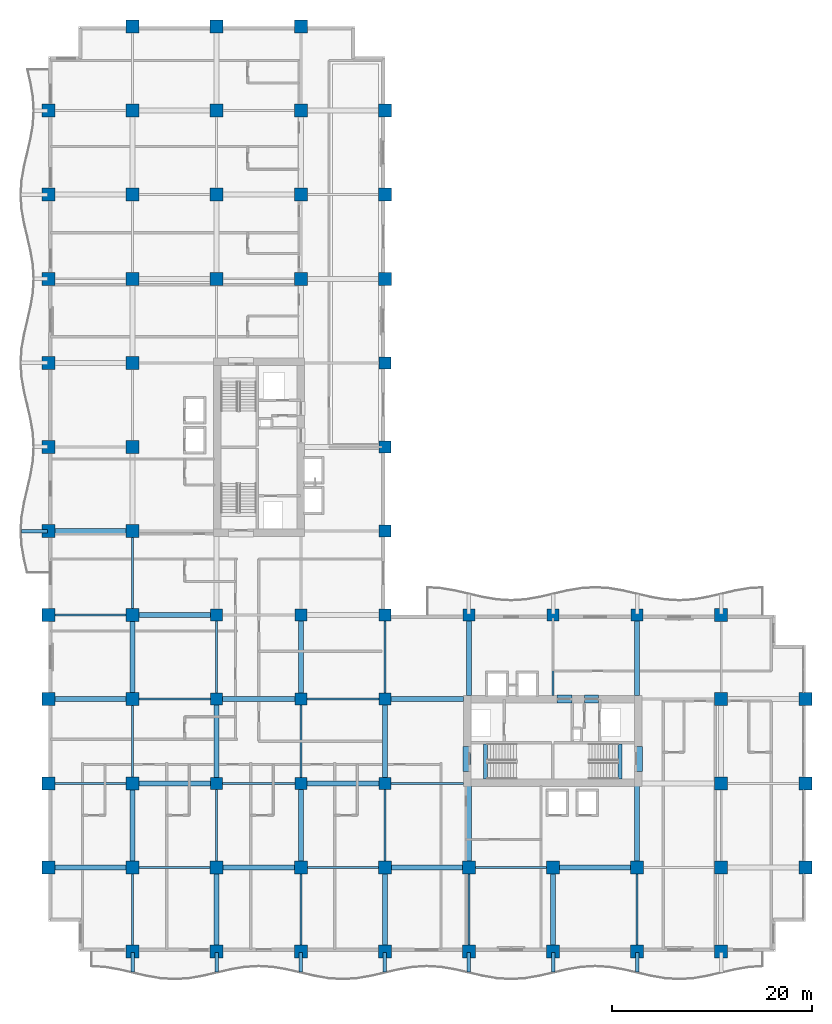
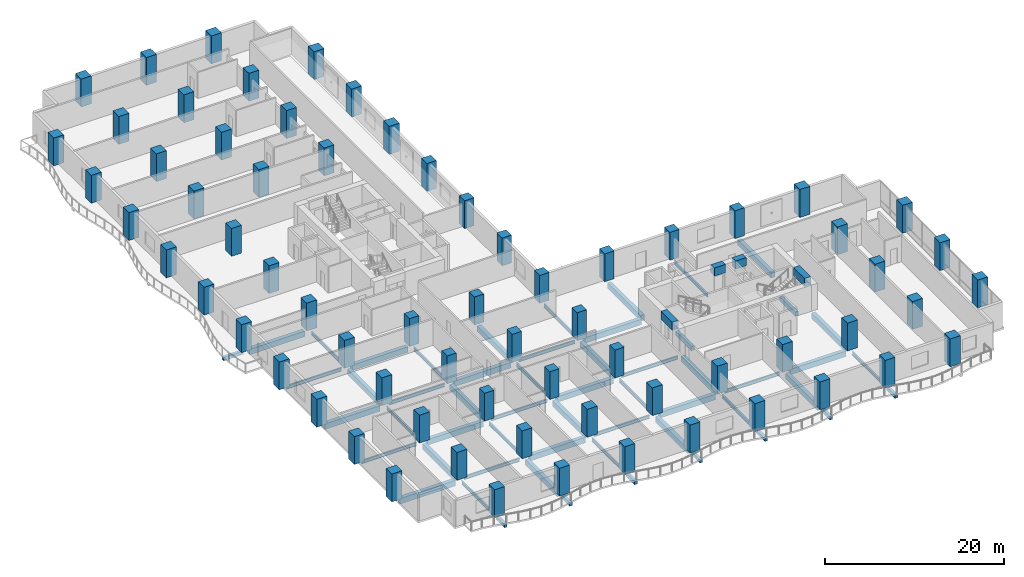
# One storey, part 1 of 24: 68 columns, 59 beams.
"""IFC4 building model written with IfcOpenShell, lengths in metres."""

import ifcopenshell
import ifcopenshell.guid

model = None  # the IFC model being written
_history = None  # IfcOwnerHistory: only IFC2X3 demands one
_inside = {}  # id of a spatial element -> (the spatial element, [elements in it])
_under = {}  # id of a project, library or spatial element -> (it, [spatial elements below it])
_declared = {}  # id of a project -> (the project, [libraries it declares])
_typed = {}  # id of a type object -> (the type object, [elements of that type])
_made_of = {}  # id of a material, layer set ... -> (it, [elements and type objects made of it])


def new_model(schema):
    """Start an empty IFC model of exactly this schema.

    Asked for "IFC4X3", IfcOpenShell would pick the latest addendum, in which some entities
    have other attributes; the version numbers below select the first issue.
    IFC2X3 requires an IfcOwnerHistory on every rooted entity: one is made here for all.
    """
    global model, _history
    if schema == "IFC4X3":
        model = ifcopenshell.file(schema_version=(4, 3, 0, 0))
    else:
        model = ifcopenshell.file(schema=schema)
    _inside.clear()
    _under.clear()
    _declared.clear()
    _typed.clear()
    _made_of.clear()
    _history = None
    if model.schema == "IFC2X3":
        org = make("IfcOrganization", Name="unknown")
        user = make(
            "IfcPersonAndOrganization",
            ThePerson=make("IfcPerson", FamilyName="unknown"),
            TheOrganization=org,
        )
        app = make(
            "IfcApplication",
            ApplicationDeveloper=org,
            Version="unknown",
            ApplicationFullName="unknown",
            ApplicationIdentifier="unknown",
        )
        _history = make(
            "IfcOwnerHistory",
            OwningUser=user,
            OwningApplication=app,
            ChangeAction="ADDED",
            CreationDate=0,
        )
    return model


def make(cls, **values):
    """One entity of the class cls with the attributes given. An attribute that is None is left unset."""
    return model.create_entity(
        cls, **{name: value for name, value in values.items() if value is not None}
    )


def rooted(cls, **values):
    """An entity with a GlobalId (a new one), such as an element, a storey or a relation."""
    return make(cls, GlobalId=ifcopenshell.guid.new(), OwnerHistory=_history, **values)


def si_unit(unit_type, name, prefix=None):
    """IfcSIUnit, for example si_unit("LENGTHUNIT", "METRE", prefix="MILLI")."""
    return make("IfcSIUnit", UnitType=unit_type, Prefix=prefix, Name=name)


def assignment(units):
    """IfcUnitAssignment: the units of a project."""
    return None if units is None else make("IfcUnitAssignment", Units=units)


def point(xyz):
    """IfcCartesianPoint."""
    return None if xyz is None else make("IfcCartesianPoint", Coordinates=xyz)


def direction(xyz):
    """IfcDirection."""
    return None if xyz is None else make("IfcDirection", DirectionRatios=xyz)


def frame(location, z_axis=None, x_axis=None):
    """IfcAxis2Placement3D, a coordinate frame: its origin and axes. An axis left out is left unset."""
    return make(
        "IfcAxis2Placement3D",
        Location=point(location),
        Axis=direction(z_axis),
        RefDirection=direction(x_axis),
    )


def frame_2d(location, x_axis=None):
    """IfcAxis2Placement2D, a coordinate frame in the plane: its origin and x axis."""
    return make(
        "IfcAxis2Placement2D", Location=point(location), RefDirection=direction(x_axis)
    )


def origin():
    """The frame at (0, 0, 0) with its axes left unset."""
    return frame((0.0, 0.0, 0.0))


def origin_2d():
    """The frame at (0, 0) in the plane with its x axis left unset."""
    return frame_2d((0.0, 0.0))


def place(relative_to, where):
    """IfcLocalPlacement: puts the frame where relative to a parent placement (None: the world)."""
    return make(
        "IfcLocalPlacement", PlacementRelTo=relative_to, RelativePlacement=where
    )


def context(
    kind, dimensions, precision=None, world=None, true_north=None, identifier=None
):
    """IfcGeometricRepresentationContext, for example the 3D "Model" context."""
    return make(
        "IfcGeometricRepresentationContext",
        ContextIdentifier=identifier,
        ContextType=kind,
        CoordinateSpaceDimension=dimensions,
        Precision=precision,
        WorldCoordinateSystem=world,
        TrueNorth=true_north,
    )


def subcontext(parent, identifier, kind, view, scale=None):
    """IfcGeometricRepresentationSubContext, for example "Body" below "Model"."""
    return make(
        "IfcGeometricRepresentationSubContext",
        ContextIdentifier=identifier,
        ContextType=kind,
        ParentContext=parent,
        TargetScale=scale,
        TargetView=view,
    )


def project(units=None, contexts=None):
    """IfcProject with its units and contexts."""
    return rooted(
        "IfcProject",
        Name="project",
        RepresentationContexts=contexts,
        UnitsInContext=assignment(units),
    )


def spatial(cls, under=None, at=None, **own):
    """A site, building, storey or space (cls), placed at a placement, below another one or the project."""
    s = rooted(cls, ObjectPlacement=at, **own)
    if under is not None:
        _under.setdefault(under.id(), (under, []))[1].append(s)
    return s


def profile(cls, at=None, kind="AREA", **sizes):
    """A parametric profile (cls). Its sizes go by their IFC names, for example OverallWidth=200.0."""
    return make(cls, ProfileType=kind, Position=at, **sizes)


def rectangle(**sizes):
    """IfcRectangleProfileDef."""
    return profile("IfcRectangleProfileDef", **sizes)


def i_section(**sizes):
    """IfcIShapeProfileDef."""
    return profile("IfcIShapeProfileDef", **sizes)


def extrude(swept, where, along, depth):
    """IfcExtrudedAreaSolid: the profile swept, set in the frame where, extruded along a direction by depth."""
    return make(
        "IfcExtrudedAreaSolid",
        SweptArea=swept,
        Position=where,
        ExtrudedDirection=direction(along),
        Depth=depth,
    )


def shape(context_of_items, identifier, shape_type, items):
    """IfcShapeRepresentation: the items that make up one representation, for example the "Body"."""
    return make(
        "IfcShapeRepresentation",
        ContextOfItems=context_of_items,
        RepresentationIdentifier=identifier,
        RepresentationType=shape_type,
        Items=items,
    )


def material(Name=None, Category=None):
    """IfcMaterial."""
    return make("IfcMaterial", Name=Name, Category=Category)


def material_profile(
    of_material, cross_section, Name=None, Category=None, Priority=None
):
    """IfcMaterialProfile: a cross section and its material."""
    return make(
        "IfcMaterialProfile",
        Name=Name,
        Material=of_material,
        Profile=cross_section,
        Priority=Priority,
        Category=Category,
    )


def profile_set(profiles, Name=None, composite=None):
    """IfcMaterialProfileSet."""
    return make(
        "IfcMaterialProfileSet",
        Name=Name,
        MaterialProfiles=profiles,
        CompositeProfile=composite,
    )


def made_of(thing, what):
    """Note that an element or type object is made of a material, layer set ...; save() writes the relation."""
    if what is not None:
        _made_of.setdefault(what.id(), (what, []))[1].append(thing)
    return thing


def type_object(cls, material=None, **own):
    """A type object (cls), such as IfcWallType, which elements share."""
    return made_of(rooted(cls, **own), material)


def element(
    cls,
    number,
    at=None,
    inside=None,
    cuts=None,
    type_object=None,
    material=None,
    context=None,
    identifier="Body",
    shape_type=None,
    held_by="IfcProductDefinitionShape",
    body=None,
    shapes=None,
    **own,
):
    """One element of the class cls, such as IfcWall. Its Tag is "e" and its number.

    at: its placement. inside: the storey or other place that contains it. cuts: it is an
    opening in that element (IfcRelVoidsElement). A single representation is given by context,
    identifier, shape_type and body (its items); several are given by shapes. held_by: the class
    of the entity that holds the representations. save() writes the other relations.
    """
    e = rooted(cls, Tag="e%d" % number, ObjectPlacement=at, **own)
    if body is not None:
        shapes = [shape(context, identifier, shape_type, body)]
    if shapes is not None:
        e.Representation = make(held_by, Representations=shapes)
    if inside is not None:
        _inside.setdefault(inside.id(), (inside, []))[1].append(e)
    if cuts is not None:
        rooted(
            "IfcRelVoidsElement", RelatingBuildingElement=cuts, RelatedOpeningElement=e
        )
    if type_object is not None:
        _typed.setdefault(type_object.id(), (type_object, []))[1].append(e)
    return made_of(e, material)


def aggregate(whole, parts):
    """IfcRelAggregates: a whole, such as a stair, and the parts it consists of."""
    return rooted("IfcRelAggregates", RelatingObject=whole, RelatedObjects=parts)


def save(model, path):
    """Write the relations noted so far, then the file.

    IfcRelAggregates (storeys below a building ...), IfcRelContainedInSpatialStructure (elements
    in a storey), IfcRelDefinesByType, IfcRelAssociatesMaterial and IfcRelDeclares: one each for
    every whole, place, type object, material and project.
    """
    for whole, parts in _under.values():
        aggregate(whole, parts)
    for where, things in _inside.values():
        rooted(
            "IfcRelContainedInSpatialStructure",
            RelatedElements=things,
            RelatingStructure=where,
        )
    for kind, things in _typed.values():
        rooted("IfcRelDefinesByType", RelatedObjects=things, RelatingType=kind)
    for what, things in _made_of.values():
        rooted("IfcRelAssociatesMaterial", RelatedObjects=things, RelatingMaterial=what)
    for by, libraries in _declared.values():
        rooted("IfcRelDeclares", RelatingContext=by, RelatedDefinitions=libraries)
    model.write(path)


model = new_model("IFC4")

# Units and contexts
model_context = context("Model", 3, precision=1e-05, world=origin(), true_north=direction((0.0, 1.0)))
body_context = subcontext(model_context, "Body", "Model", "MODEL_VIEW")
ifc_project = project(units=[si_unit("LENGTHUNIT", "METRE"), si_unit("AREAUNIT", "SQUARE_METRE"), si_unit("VOLUMEUNIT", "CUBIC_METRE"), si_unit("PLANEANGLEUNIT", "RADIAN"), si_unit("MASSUNIT", "GRAM", prefix="KILO")], contexts=[model_context])

# Site, building, storey
site_placement = place(None, origin())
site = spatial("IfcSite", under=ifc_project, at=site_placement, CompositionType="ELEMENT")
building_placement = place(site_placement, origin())
building = spatial("IfcBuilding", under=site, at=building_placement, Name="Koriwani Terraces Tower", CompositionType="ELEMENT")
storey_placement = place(building_placement, frame((0.0, 0.0, 103.800048828125)))
storey = spatial("IfcBuildingStorey", under=building, at=storey_placement, Name="L24", CompositionType="ELEMENT", Elevation=103.800048828125)

# Columns
ifc_material_1 = material(Name="Concrete C60/75", Category="concrete")
ifc_material_profile_1 = material_profile(ifc_material_1, rectangle(XDim=1.199951171875, YDim=1.199951171875, at=origin_2d()), Name="Concrete C60/75", Category="LoadBearing")
ifc_profile_set_1 = profile_set([ifc_material_profile_1], Name="Concrete C60/75")
column_type_1 = type_object("IfcColumnType", Name="COL_RC_1200X1200", PredefinedType="COLUMN", material=ifc_profile_set_1)
for number, where, z_axis, x_axis, name in (
    (1, (16.800048828125, 16.800048828125, 0.0), (0.0, 0.0, 1.0), (1.0, 0.0, 0.0), "L24 Column 3/C"),
    (2, (16.800048828125, 25.199951171875, 0.0), (0.0, 0.0, 1.0), (1.0, 0.0, 0.0), "L24 Column 3/D"),
    (3, (16.800048828125, 33.60009765625, 0.0), (0.0, 0.0, 1.0), (1.0, 0.0, 0.0), "L24 Column 3/E"),
    (4, (25.199951171875, 16.800048828125, 0.0), (0.0, 0.0, 1.0), (1.0, 0.0, 0.0), "L24 Column 4/C"),
    (5, (25.199951171875, 25.199951171875, 0.0), (0.0, 0.0, 1.0), (1.0, 0.0, 0.0), "L24 Column 4/D"),
    (6, (25.199951171875, 33.60009765625, 0.0), (0.0, 0.0, 1.0), (1.0, 0.0, 0.0), "L24 Column 4/E"),
    (7, (33.60009765625, 16.800048828125, 0.0), (0.0, 0.0, 1.0), (1.0, 0.0, 0.0), "L24 Column 5/C"),
    (8, (33.60009765625, 25.199951171875, 0.0), (0.0, 0.0, 1.0), (1.0, 0.0, 0.0), "L24 Column 5/D"),
    (9, (33.60009765625, 33.60009765625, 0.0), (0.0, 0.0, 1.0), (1.0, 0.0, 0.0), "L24 Column 5/E"),
    (10, (33.60009765625, 42.0, 0.0), (0.0, 0.0, 1.0), (1.0, 0.0, 0.0), "L24 Column 5/F"),
    (11, (33.60009765625, 50.39990234375, 0.0), (0.0, 0.0, 1.0), (1.0, 0.0, 0.0), "L24 Column 5/G"),
    (12, (33.60009765625, 58.800048828125, 0.0), (0.0, 0.0, 1.0), (1.0, 0.0, 0.0), "L24 Column 5/H"),
    (13, (42.0, 33.60009765625, 0.0), (0.0, 0.0, 1.0), (1.0, 0.0, 0.0), "L24 Column 6/E"),
    (14, (50.39990234375, 33.60009765625, 0.0), (0.0, 0.0, 1.0), (1.0, 0.0, 0.0), "L24 Column 7/E"),
    (15, (58.800048828125, 33.60009765625, 0.0), (0.0, 0.0, 1.0), (1.0, 0.0, 0.0), "L24 Column 8/E"),
):
    element("IfcColumn", number, at=place(storey_placement, frame(where, z_axis=z_axis, x_axis=x_axis)), inside=storey, type_object=column_type_1, Name=name, PredefinedType="COLUMN", context=body_context, shape_type="SweptSolid", body=[
        extrude(rectangle(XDim=1.199951171875, YDim=1.199951171875, at=origin_2d()), origin(), (0.0, 0.0, 1.0), 3.800048828125),
    ])
ifc_material_profile_2 = material_profile(ifc_material_1, rectangle(XDim=1.300048828125, YDim=1.300048828125, at=origin_2d()), Name="Concrete C60/75", Category="LoadBearing")
ifc_profile_set_2 = profile_set([ifc_material_profile_2], Name="Concrete C60/75")
column_type_2 = type_object("IfcColumnType", Name="COL_RC_1300X1300", PredefinedType="COLUMN", material=ifc_profile_set_2)
for number, where, z_axis, x_axis, name in (
    (16, (0.0, 8.39990234375, 0.0), (0.0, 0.0, 1.0), (1.0, 0.0, 0.0), "L24 Column 1/B"),
    (17, (0.0, 16.800048828125, 0.0), (0.0, 0.0, 1.0), (1.0, 0.0, 0.0), "L24 Column 1/C"),
    (18, (0.0, 25.199951171875, 0.0), (0.0, 0.0, 1.0), (1.0, 0.0, 0.0), "L24 Column 1/D"),
    (19, (0.0, 33.60009765625, 0.0), (0.0, 0.0, 1.0), (1.0, 0.0, 0.0), "L24 Column 1/E"),
    (20, (0.0, 42.0, 0.0), (0.0, 0.0, 1.0), (1.0, 0.0, 0.0), "L24 Column 1/F"),
    (21, (0.0, 50.39990234375, 0.0), (0.0, 0.0, 1.0), (1.0, 0.0, 0.0), "L24 Column 1/G"),
    (22, (0.0, 58.800048828125, 0.0), (0.0, 0.0, 1.0), (1.0, 0.0, 0.0), "L24 Column 1/H"),
    (23, (0.0, 67.199951171875, 0.0), (0.0, 0.0, 1.0), (1.0, 0.0, 0.0), "L24 Column 1/I"),
    (24, (0.0, 75.60009765625, 0.0), (0.0, 0.0, 1.0), (1.0, 0.0, 0.0), "L24 Column 1/J"),
    (25, (0.0, 84.0, 0.0), (0.0, 0.0, 1.0), (1.0, 0.0, 0.0), "L24 Column 1/K"),
    (26, (8.39990234375, 0.0, 0.0), (0.0, 0.0, 1.0), (1.0, 0.0, 0.0), "L24 Column 2/A"),
    (27, (8.39990234375, 8.39990234375, 0.0), (0.0, 0.0, 1.0), (1.0, 0.0, 0.0), "L24 Column 2/B"),
    (28, (8.39990234375, 16.800048828125, 0.0), (0.0, 0.0, 1.0), (1.0, 0.0, 0.0), "L24 Column 2/C"),
    (29, (8.39990234375, 25.199951171875, 0.0), (0.0, 0.0, 1.0), (1.0, 0.0, 0.0), "L24 Column 2/D"),
    (30, (8.39990234375, 33.60009765625, 0.0), (0.0, 0.0, 1.0), (1.0, 0.0, 0.0), "L24 Column 2/E"),
    (31, (8.39990234375, 42.0, 0.0), (0.0, 0.0, 1.0), (1.0, 0.0, 0.0), "L24 Column 2/F"),
    (32, (8.39990234375, 50.39990234375, 0.0), (0.0, 0.0, 1.0), (1.0, 0.0, 0.0), "L24 Column 2/G"),
    (33, (8.39990234375, 58.800048828125, 0.0), (0.0, 0.0, 1.0), (1.0, 0.0, 0.0), "L24 Column 2/H"),
    (34, (8.39990234375, 67.199951171875, 0.0), (0.0, 0.0, 1.0), (1.0, 0.0, 0.0), "L24 Column 2/I"),
    (35, (8.39990234375, 75.60009765625, 0.0), (0.0, 0.0, 1.0), (1.0, 0.0, 0.0), "L24 Column 2/J"),
    (36, (8.39990234375, 84.0, 0.0), (0.0, 0.0, 1.0), (1.0, 0.0, 0.0), "L24 Column 2/K"),
    (37, (8.39990234375, 92.39990234375, 0.0), (0.0, 0.0, 1.0), (1.0, 0.0, 0.0), "L24 Column 2/L"),
    (38, (16.800048828125, 0.0, 0.0), (0.0, 0.0, 1.0), (1.0, 0.0, 0.0), "L24 Column 3/A"),
    (39, (16.800048828125, 8.39990234375, 0.0), (0.0, 0.0, 1.0), (1.0, 0.0, 0.0), "L24 Column 3/B"),
    (40, (16.800048828125, 67.199951171875, 0.0), (0.0, 0.0, 1.0), (1.0, 0.0, 0.0), "L24 Column 3/I"),
    (41, (16.800048828125, 75.60009765625, 0.0), (0.0, 0.0, 1.0), (1.0, 0.0, 0.0), "L24 Column 3/J"),
    (42, (16.800048828125, 84.0, 0.0), (0.0, 0.0, 1.0), (1.0, 0.0, 0.0), "L24 Column 3/K"),
    (43, (16.800048828125, 92.39990234375, 0.0), (0.0, 0.0, 1.0), (1.0, 0.0, 0.0), "L24 Column 3/L"),
    (44, (25.199951171875, 0.0, 0.0), (0.0, 0.0, 1.0), (1.0, 0.0, 0.0), "L24 Column 4/A"),
    (45, (25.199951171875, 8.39990234375, 0.0), (0.0, 0.0, 1.0), (1.0, 0.0, 0.0), "L24 Column 4/B"),
    (46, (25.199951171875, 67.199951171875, 0.0), (0.0, 0.0, 1.0), (1.0, 0.0, 0.0), "L24 Column 4/I"),
    (47, (25.199951171875, 75.60009765625, 0.0), (0.0, 0.0, 1.0), (1.0, 0.0, 0.0), "L24 Column 4/J"),
    (48, (25.199951171875, 84.0, 0.0), (0.0, 0.0, 1.0), (1.0, 0.0, 0.0), "L24 Column 4/K"),
    (49, (25.199951171875, 92.39990234375, 0.0), (0.0, 0.0, 1.0), (1.0, 0.0, 0.0), "L24 Column 4/L"),
    (50, (33.60009765625, 0.0, 0.0), (0.0, 0.0, 1.0), (1.0, 0.0, 0.0), "L24 Column 5/A"),
    (51, (33.60009765625, 8.39990234375, 0.0), (0.0, 0.0, 1.0), (1.0, 0.0, 0.0), "L24 Column 5/B"),
    (52, (33.60009765625, 67.199951171875, 0.0), (0.0, 0.0, 1.0), (1.0, 0.0, 0.0), "L24 Column 5/I"),
    (53, (33.60009765625, 75.60009765625, 0.0), (0.0, 0.0, 1.0), (1.0, 0.0, 0.0), "L24 Column 5/J"),
    (54, (33.60009765625, 84.0, 0.0), (0.0, 0.0, 1.0), (1.0, 0.0, 0.0), "L24 Column 5/K"),
    (55, (42.0, 0.0, 0.0), (0.0, 0.0, 1.0), (1.0, 0.0, 0.0), "L24 Column 6/A"),
    (56, (42.0, 8.39990234375, 0.0), (0.0, 0.0, 1.0), (1.0, 0.0, 0.0), "L24 Column 6/B"),
    (57, (50.39990234375, 0.0, 0.0), (0.0, 0.0, 1.0), (1.0, 0.0, 0.0), "L24 Column 7/A"),
    (58, (50.39990234375, 8.39990234375, 0.0), (0.0, 0.0, 1.0), (1.0, 0.0, 0.0), "L24 Column 7/B"),
    (59, (58.800048828125, 0.0, 0.0), (0.0, 0.0, 1.0), (1.0, 0.0, 0.0), "L24 Column 8/A"),
    (60, (58.800048828125, 8.39990234375, 0.0), (0.0, 0.0, 1.0), (1.0, 0.0, 0.0), "L24 Column 8/B"),
    (61, (67.199951171875, 0.0, 0.0), (0.0, 0.0, 1.0), (1.0, 0.0, 0.0), "L24 Column 9/A"),
    (62, (67.199951171875, 8.39990234375, 0.0), (0.0, 0.0, 1.0), (1.0, 0.0, 0.0), "L24 Column 9/B"),
    (63, (67.199951171875, 16.800048828125, 0.0), (0.0, 0.0, 1.0), (1.0, 0.0, 0.0), "L24 Column 9/C"),
    (64, (67.199951171875, 25.199951171875, 0.0), (0.0, 0.0, 1.0), (1.0, 0.0, 0.0), "L24 Column 9/D"),
    (65, (67.199951171875, 33.60009765625, 0.0), (0.0, 0.0, 1.0), (1.0, 0.0, 0.0), "L24 Column 9/E"),
    (66, (75.60009765625, 8.39990234375, 0.0), (0.0, 0.0, 1.0), (1.0, 0.0, 0.0), "L24 Column 10/B"),
    (67, (75.60009765625, 16.800048828125, 0.0), (0.0, 0.0, 1.0), (1.0, 0.0, 0.0), "L24 Column 10/C"),
    (68, (75.60009765625, 25.199951171875, 0.0), (0.0, 0.0, 1.0), (1.0, 0.0, 0.0), "L24 Column 10/D"),
):
    element("IfcColumn", number, at=place(storey_placement, frame(where, z_axis=z_axis, x_axis=x_axis)), inside=storey, type_object=column_type_2, Name=name, PredefinedType="COLUMN", context=body_context, shape_type="SweptSolid", body=[
        extrude(rectangle(XDim=1.300048828125, YDim=1.300048828125, at=origin_2d()), origin(), (0.0, 0.0, 1.0), 3.800048828125),
    ])

# Beams
ifc_material_2 = material(Name="Concrete C40/50", Category="concrete")
ifc_material_profile_3 = material_profile(ifc_material_2, rectangle(XDim=0.35009765625, YDim=0.449951171875, at=origin_2d()), Name="Concrete C40/50", Category="LoadBearing")
ifc_profile_set_3 = profile_set([ifc_material_profile_3], Name="Concrete C40/50")
beam_type_1 = type_object("IfcBeamType", Name="BEAM_RC_BALCONY_RIB_350X450", PredefinedType="JOIST", material=ifc_profile_set_3)
for number, where, z_axis, x_axis, name in (
    (69, (8.39990234375, -2.050048828125, -0.47509765625), (0.0, 1.0, 0.0), (-1.0, 0.0, 0.0), "L24 Balcony Bracket Rib S-1"),
    (70, (16.800048828125, -2.050048828125, -0.47509765625), (0.0, 1.0, 0.0), (-1.0, 0.0, 0.0), "L24 Balcony Bracket Rib S-2"),
    (71, (25.199951171875, -2.050048828125, -0.47509765625), (0.0, 1.0, 0.0), (-1.0, 0.0, 0.0), "L24 Balcony Bracket Rib S-3"),
    (72, (33.60009765625, -2.050048828125, -0.47509765625), (0.0, 1.0, 0.0), (-1.0, 0.0, 0.0), "L24 Balcony Bracket Rib S-4"),
    (73, (42.0, -2.050048828125, -0.47509765625), (0.0, 1.0, 0.0), (-1.0, 0.0, 0.0), "L24 Balcony Bracket Rib S-5"),
    (74, (50.39990234375, -2.050048828125, -0.47509765625), (0.0, 1.0, 0.0), (-1.0, 0.0, 0.0), "L24 Balcony Bracket Rib S-6"),
    (75, (58.800048828125, -2.050048828125, -0.47509765625), (0.0, 1.0, 0.0), (-1.0, 0.0, 0.0), "L24 Balcony Bracket Rib S-7"),
):
    element("IfcBeam", number, at=place(storey_placement, frame(where, z_axis=z_axis, x_axis=x_axis)), inside=storey, type_object=beam_type_1, Name=name, PredefinedType="JOIST", context=body_context, shape_type="SweptSolid", body=[
        extrude(rectangle(XDim=0.35009765625, YDim=0.449951171875, at=origin_2d()), origin(), (0.0, 0.0, 1.0), 1.949951171875),
    ])
beam_1_placement = place(storey_placement, frame((-2.699951171875, 42.0, -0.47509765625), z_axis=(1.0, 0.0, 0.0), x_axis=(0.0, 1.0, 0.0)))
element("IfcBeam", 76, at=beam_1_placement, inside=storey, type_object=beam_type_1, Name="L24 Balcony Bracket Rib W-1", PredefinedType="JOIST", context=body_context, shape_type="SweptSolid", body=[
    extrude(rectangle(XDim=0.35009765625, YDim=0.449951171875, at=origin_2d()), origin(), (0.0, 0.0, 1.0), 2.599853515625),
])
ifc_material_profile_4 = material_profile(ifc_material_1, rectangle(XDim=0.800048828125, YDim=1.10009765625, at=origin_2d()), Name="Concrete C60/75", Category="LoadBearing")
ifc_profile_set_4 = profile_set([ifc_material_profile_4], Name="Concrete C60/75")
beam_type_2 = type_object("IfcBeamType", Name="BEAM_RC_COUPLING_800X1100", PredefinedType="LINTEL", material=ifc_profile_set_4)
beam_2_placement = place(storey_placement, frame((50.800048828125, 25.199951171875, 3.0), z_axis=(1.0, 0.0, 0.0), x_axis=(0.0, 1.0, 0.0)))
element("IfcBeam", 77, at=beam_2_placement, inside=storey, type_object=beam_type_2, Name="L24 Core Coupling Lintel Beam EN1", PredefinedType="LINTEL", context=body_context, shape_type="SweptSolid", body=[
    extrude(rectangle(XDim=0.800048828125, YDim=1.10009765625, at=origin_2d()), origin(), (0.0, 0.0, 1.0), 1.47998046875),
])
beam_3_placement = place(storey_placement, frame((53.550048828125, 25.199951171875, 3.0), z_axis=(1.0, 0.0, 0.0), x_axis=(0.0, 1.0, 0.0)))
element("IfcBeam", 78, at=beam_3_placement, inside=storey, type_object=beam_type_2, Name="L24 Core Coupling Lintel Beam EN2", PredefinedType="LINTEL", context=body_context, shape_type="SweptSolid", body=[
    extrude(rectangle(XDim=0.800048828125, YDim=1.10009765625, at=origin_2d()), origin(), (0.0, 0.0, 1.0), 1.39990234375),
])
for number, where, z_axis, x_axis, name in (
    (79, (41.824951171875, 18.0, 3.0), (0.0, 1.0, 0.0), (-1.0, 0.0, 0.0), "L24 Core Coupling Lintel Beam EW"),
    (80, (58.925048828125, 18.0, 3.0), (0.0, 1.0, 0.0), (-1.0, 0.0, 0.0), "L24 Core Coupling Lintel Beam EE"),
):
    element("IfcBeam", number, at=place(storey_placement, frame(where, z_axis=z_axis, x_axis=x_axis)), inside=storey, type_object=beam_type_2, Name=name, PredefinedType="LINTEL", context=body_context, shape_type="SweptSolid", body=[
        extrude(rectangle(XDim=0.800048828125, YDim=1.10009765625, at=origin_2d()), origin(), (0.0, 0.0, 1.0), 2.5),
    ])
ifc_material_profile_5 = material_profile(ifc_material_2, rectangle(XDim=0.39990234375, YDim=0.60009765625, at=origin_2d()), Name="Concrete C40/50", Category="LoadBearing")
ifc_profile_set_5 = profile_set([ifc_material_profile_5], Name="Concrete C40/50")
beam_type_3 = type_object("IfcBeamType", Name="BEAM_RC_GRID_400X600", PredefinedType="BEAM", material=ifc_profile_set_5)
for number, where, z_axis, x_axis, name in (
    (81, (43.655029296875, 17.25, -0.300048828125), (0.0, 1.0, 0.0), (-1.0, 0.0, 0.0), "L24 Stairwell Header Trimmer Beam ST-E1"),
    (82, (57.094970703125, 17.25, -0.300048828125), (0.0, 1.0, 0.0), (-1.0, 0.0, 0.0), "L24 Stairwell Header Trimmer Beam ST-E2"),
):
    element("IfcBeam", number, at=place(storey_placement, frame(where, z_axis=z_axis, x_axis=x_axis)), inside=storey, type_object=beam_type_3, Name=name, PredefinedType="BEAM", context=body_context, shape_type="SweptSolid", body=[
        extrude(rectangle(XDim=0.39990234375, YDim=0.60009765625, at=origin_2d()), origin(), (0.0, 0.0, 1.0), 3.5),
    ])
ifc_material_3 = material(Name="Concrete C50/60", Category="concrete")
ifc_material_profile_6 = material_profile(ifc_material_3, rectangle(XDim=0.5, YDim=0.75, at=origin_2d()), Name="Concrete C50/60", Category="LoadBearing")
ifc_profile_set_6 = profile_set([ifc_material_profile_6], Name="Concrete C50/60")
beam_type_4 = type_object("IfcBeamType", Name="BEAM_RC_GRID_500X750", PredefinedType="BEAM", material=ifc_profile_set_6)
for number, where, z_axis, x_axis, name in (
    (83, (0.6298828125, 8.39990234375, -0.625), (1.0, 0.0, 0.0), (0.0, 1.0, 0.0), "L24 Grid Beam B (0.0-8.4m)"),
    (84, (17.429931640625, 8.39990234375, -0.625), (1.0, 0.0, 0.0), (0.0, 1.0, 0.0), "L24 Grid Beam B (16.8-25.2m)"),
    (85, (34.22998046875, 8.39990234375, -0.625), (1.0, 0.0, 0.0), (0.0, 1.0, 0.0), "L24 Grid Beam B (33.6-42.0m)"),
):
    element("IfcBeam", number, at=place(storey_placement, frame(where, z_axis=z_axis, x_axis=x_axis)), inside=storey, type_object=beam_type_4, Name=name, PredefinedType="BEAM", context=body_context, shape_type="SweptSolid", body=[
        extrude(rectangle(XDim=0.5, YDim=0.75, at=origin_2d()), origin(), (0.0, 0.0, 1.0), 7.14013671875),
    ])
beam_4_placement = place(storey_placement, frame((51.030029296875, 8.39990234375, -0.625), z_axis=(1.0, 0.0, 0.0), x_axis=(0.0, 1.0, 0.0)))
element("IfcBeam", 86, at=beam_4_placement, inside=storey, type_object=beam_type_4, Name="L24 Grid Beam B (50.4-58.8m)", PredefinedType="BEAM", context=body_context, shape_type="SweptSolid", body=[
    extrude(rectangle(XDim=0.5, YDim=0.75, at=origin_2d()), origin(), (0.0, 0.0, 1.0), 7.139892578125),
])
beam_5_placement = place(storey_placement, frame((9.030029296875, 16.800048828125, -0.625), z_axis=(1.0, 0.0, 0.0), x_axis=(0.0, 1.0, 0.0)))
element("IfcBeam", 87, at=beam_5_placement, inside=storey, type_object=beam_type_4, Name="L24 Grid Beam C (8.4-16.8m)", PredefinedType="BEAM", context=body_context, shape_type="SweptSolid", body=[
    extrude(rectangle(XDim=0.5, YDim=0.75, at=origin_2d()), origin(), (0.0, 0.0, 1.0), 7.18994140625),
])
beam_6_placement = place(storey_placement, frame((25.780029296875, 16.800048828125, -0.625), z_axis=(1.0, 0.0, 0.0), x_axis=(0.0, 1.0, 0.0)))
element("IfcBeam", 88, at=beam_6_placement, inside=storey, type_object=beam_type_4, Name="L24 Grid Beam C (25.2-33.6m)", PredefinedType="BEAM", context=body_context, shape_type="SweptSolid", body=[
    extrude(rectangle(XDim=0.5, YDim=0.75, at=origin_2d()), origin(), (0.0, 0.0, 1.0), 7.239990234375),
])
beam_7_placement = place(storey_placement, frame((0.6298828125, 25.199951171875, -0.625), z_axis=(1.0, 0.0, 0.0), x_axis=(0.0, 1.0, 0.0)))
element("IfcBeam", 89, at=beam_7_placement, inside=storey, type_object=beam_type_4, Name="L24 Grid Beam D (0.0-8.4m)", PredefinedType="BEAM", context=body_context, shape_type="SweptSolid", body=[
    extrude(rectangle(XDim=0.5, YDim=0.75, at=origin_2d()), origin(), (0.0, 0.0, 1.0), 7.14013671875),
])
beam_8_placement = place(storey_placement, frame((17.3798828125, 25.199951171875, -0.625), z_axis=(1.0, 0.0, 0.0), x_axis=(0.0, 1.0, 0.0)))
element("IfcBeam", 90, at=beam_8_placement, inside=storey, type_object=beam_type_4, Name="L24 Grid Beam D (16.8-25.2m)", PredefinedType="BEAM", context=body_context, shape_type="SweptSolid", body=[
    extrude(rectangle(XDim=0.5, YDim=0.75, at=origin_2d()), origin(), (0.0, 0.0, 1.0), 7.240234375),
])
beam_9_placement = place(storey_placement, frame((34.179931640625, 25.199951171875, -0.625), z_axis=(1.0, 0.0, 0.0), x_axis=(0.0, 1.0, 0.0)))
element("IfcBeam", 91, at=beam_9_placement, inside=storey, type_object=beam_type_4, Name="L24 Grid Beam D (33.6-42.0m)", PredefinedType="BEAM", context=body_context, shape_type="SweptSolid", body=[
    extrude(rectangle(XDim=0.5, YDim=0.75, at=origin_2d()), origin(), (0.0, 0.0, 1.0), 7.2900390625),
])
beam_10_placement = place(storey_placement, frame((9.030029296875, 33.60009765625, -0.625), z_axis=(1.0, 0.0, 0.0), x_axis=(0.0, 1.0, 0.0)))
element("IfcBeam", 92, at=beam_10_placement, inside=storey, type_object=beam_type_4, Name="L24 Grid Beam E (8.4-16.8m)", PredefinedType="BEAM", context=body_context, shape_type="SweptSolid", body=[
    extrude(rectangle(XDim=0.5, YDim=0.75, at=origin_2d()), origin(), (0.0, 0.0, 1.0), 7.18994140625),
])
beam_11_placement = place(storey_placement, frame((0.6298828125, 42.0, -0.625), z_axis=(1.0, 0.0, 0.0), x_axis=(0.0, 1.0, 0.0)))
element("IfcBeam", 93, at=beam_11_placement, inside=storey, type_object=beam_type_4, Name="L24 Grid Beam F (0.0-8.4m)", PredefinedType="BEAM", context=body_context, shape_type="SweptSolid", body=[
    extrude(rectangle(XDim=0.5, YDim=0.75, at=origin_2d()), origin(), (0.0, 0.0, 1.0), 7.14013671875),
])
for number, where, z_axis, x_axis, name in (
    (94, (8.39990234375, 9.030029296875, -0.625), (0.0, 1.0, 0.0), (-1.0, 0.0, 0.0), "L24 Grid Beam 2 (8.4-16.8m)"),
    (95, (8.39990234375, 25.830078125, -0.625), (0.0, 1.0, 0.0), (-1.0, 0.0, 0.0), "L24 Grid Beam 2 (25.2-33.6m)"),
):
    element("IfcBeam", number, at=place(storey_placement, frame(where, z_axis=z_axis, x_axis=x_axis)), inside=storey, type_object=beam_type_4, Name=name, PredefinedType="BEAM", context=body_context, shape_type="SweptSolid", body=[
        extrude(rectangle(XDim=0.5, YDim=0.75, at=origin_2d()), origin(), (0.0, 0.0, 1.0), 7.139892578125),
    ])
beam_12_placement = place(storey_placement, frame((16.800048828125, 0.6298828125, -0.625), z_axis=(0.0, 1.0, 0.0), x_axis=(-1.0, 0.0, 0.0)))
element("IfcBeam", 96, at=beam_12_placement, inside=storey, type_object=beam_type_4, Name="L24 Grid Beam 3 (0.0-8.4m)", PredefinedType="BEAM", context=body_context, shape_type="SweptSolid", body=[
    extrude(rectangle(XDim=0.5, YDim=0.75, at=origin_2d()), origin(), (0.0, 0.0, 1.0), 7.14013671875),
])
beam_13_placement = place(storey_placement, frame((16.800048828125, 17.3798828125, -0.625), z_axis=(0.0, 1.0, 0.0), x_axis=(-1.0, 0.0, 0.0)))
element("IfcBeam", 97, at=beam_13_placement, inside=storey, type_object=beam_type_4, Name="L24 Grid Beam 3 (16.8-25.2m)", PredefinedType="BEAM", context=body_context, shape_type="SweptSolid", body=[
    extrude(rectangle(XDim=0.5, YDim=0.75, at=origin_2d()), origin(), (0.0, 0.0, 1.0), 7.240234375),
])
beam_14_placement = place(storey_placement, frame((25.199951171875, 9.030029296875, -0.625), z_axis=(0.0, 1.0, 0.0), x_axis=(-1.0, 0.0, 0.0)))
element("IfcBeam", 98, at=beam_14_placement, inside=storey, type_object=beam_type_4, Name="L24 Grid Beam 4 (8.4-16.8m)", PredefinedType="BEAM", context=body_context, shape_type="SweptSolid", body=[
    extrude(rectangle(XDim=0.5, YDim=0.75, at=origin_2d()), origin(), (0.0, 0.0, 1.0), 7.18994140625),
])
beam_15_placement = place(storey_placement, frame((25.199951171875, 25.780029296875, -0.625), z_axis=(0.0, 1.0, 0.0), x_axis=(-1.0, 0.0, 0.0)))
element("IfcBeam", 99, at=beam_15_placement, inside=storey, type_object=beam_type_4, Name="L24 Grid Beam 4 (25.2-33.6m)", PredefinedType="BEAM", context=body_context, shape_type="SweptSolid", body=[
    extrude(rectangle(XDim=0.5, YDim=0.75, at=origin_2d()), origin(), (0.0, 0.0, 1.0), 7.239990234375),
])
beam_16_placement = place(storey_placement, frame((33.60009765625, 0.6298828125, -0.625), z_axis=(0.0, 1.0, 0.0), x_axis=(-1.0, 0.0, 0.0)))
element("IfcBeam", 100, at=beam_16_placement, inside=storey, type_object=beam_type_4, Name="L24 Grid Beam 5 (0.0-8.4m)", PredefinedType="BEAM", context=body_context, shape_type="SweptSolid", body=[
    extrude(rectangle(XDim=0.5, YDim=0.75, at=origin_2d()), origin(), (0.0, 0.0, 1.0), 7.14013671875),
])
beam_17_placement = place(storey_placement, frame((33.60009765625, 17.3798828125, -0.625), z_axis=(0.0, 1.0, 0.0), x_axis=(-1.0, 0.0, 0.0)))
element("IfcBeam", 101, at=beam_17_placement, inside=storey, type_object=beam_type_4, Name="L24 Grid Beam 5 (16.8-25.2m)", PredefinedType="BEAM", context=body_context, shape_type="SweptSolid", body=[
    extrude(rectangle(XDim=0.5, YDim=0.75, at=origin_2d()), origin(), (0.0, 0.0, 1.0), 7.240234375),
])
beam_18_placement = place(storey_placement, frame((42.0, 9.030029296875, -0.625), z_axis=(0.0, 1.0, 0.0), x_axis=(-1.0, 0.0, 0.0)))
element("IfcBeam", 102, at=beam_18_placement, inside=storey, type_object=beam_type_4, Name="L24 Grid Beam 6 (8.4-16.8m)", PredefinedType="BEAM", context=body_context, shape_type="SweptSolid", body=[
    extrude(rectangle(XDim=0.5, YDim=0.75, at=origin_2d()), origin(), (0.0, 0.0, 1.0), 7.489990234375),
])
beam_19_placement = place(storey_placement, frame((42.0, 25.554931640625, -0.625), z_axis=(0.0, 1.0, 0.0), x_axis=(-1.0, 0.0, 0.0)))
element("IfcBeam", 103, at=beam_19_placement, inside=storey, type_object=beam_type_4, Name="L24 Grid Beam 6 (25.2-33.6m)", PredefinedType="BEAM", context=body_context, shape_type="SweptSolid", body=[
    extrude(rectangle(XDim=0.5, YDim=0.75, at=origin_2d()), origin(), (0.0, 0.0, 1.0), 7.465087890625),
])
beam_20_placement = place(storey_placement, frame((50.39990234375, 0.6298828125, -0.625), z_axis=(0.0, 1.0, 0.0), x_axis=(-1.0, 0.0, 0.0)))
element("IfcBeam", 104, at=beam_20_placement, inside=storey, type_object=beam_type_4, Name="L24 Grid Beam 7 (0.0-8.4m)", PredefinedType="BEAM", context=body_context, shape_type="SweptSolid", body=[
    extrude(rectangle(XDim=0.5, YDim=0.75, at=origin_2d()), origin(), (0.0, 0.0, 1.0), 7.14013671875),
])
beam_21_placement = place(storey_placement, frame((58.800048828125, 9.030029296875, -0.625), z_axis=(0.0, 1.0, 0.0), x_axis=(-1.0, 0.0, 0.0)))
element("IfcBeam", 105, at=beam_21_placement, inside=storey, type_object=beam_type_4, Name="L24 Grid Beam 8 (8.4-16.8m)", PredefinedType="BEAM", context=body_context, shape_type="SweptSolid", body=[
    extrude(rectangle(XDim=0.5, YDim=0.75, at=origin_2d()), origin(), (0.0, 0.0, 1.0), 7.489990234375),
])
beam_22_placement = place(storey_placement, frame((58.800048828125, 25.554931640625, -0.625), z_axis=(0.0, 1.0, 0.0), x_axis=(-1.0, 0.0, 0.0)))
element("IfcBeam", 106, at=beam_22_placement, inside=storey, type_object=beam_type_4, Name="L24 Grid Beam 8 (25.2-33.6m)", PredefinedType="BEAM", context=body_context, shape_type="SweptSolid", body=[
    extrude(rectangle(XDim=0.5, YDim=0.75, at=origin_2d()), origin(), (0.0, 0.0, 1.0), 7.465087890625),
])
ifc_material_4 = material(Name="Steel ASTM A572 Grade 50", Category="steel")
ifc_material_profile_7 = material_profile(ifc_material_4, i_section(OverallWidth=0.193115234375, OverallDepth=0.462890625, WebThickness=0.0107421875, FlangeThickness=0.017333984375, at=origin_2d()), Name="Steel ASTM A572 Grade 50", Category="LoadBearing")
ifc_profile_set_7 = profile_set([ifc_material_profile_7], Name="Steel ASTM A572 Grade 50")
beam_type_5 = type_object("IfcBeamType", Name="STEEL_BEAM_W460X113", PredefinedType="BEAM", material=ifc_profile_set_7)
for number, where, z_axis, x_axis, name in (
    (107, (9.030029296875, 8.39990234375, -0.4814453125), (1.0, 0.0, 0.0), (0.0, 1.0, 0.0), "L24 Grid Beam B (8.4-16.8m)"),
    (108, (25.830078125, 8.39990234375, -0.4814453125), (1.0, 0.0, 0.0), (0.0, 1.0, 0.0), "L24 Grid Beam B (25.2-33.6m)"),
):
    element("IfcBeam", number, at=place(storey_placement, frame(where, z_axis=z_axis, x_axis=x_axis)), inside=storey, type_object=beam_type_5, Name=name, PredefinedType="BEAM", context=body_context, shape_type="SweptSolid", body=[
        extrude(i_section(OverallWidth=0.193115234375, OverallDepth=0.462890625, WebThickness=0.0107421875, FlangeThickness=0.017333984375, at=origin_2d()), origin(), (0.0, 0.0, 1.0), 7.139892578125),
    ])
for number, where, z_axis, x_axis, name in (
    (109, (42.6298828125, 8.39990234375, -0.4814453125), (1.0, 0.0, 0.0), (0.0, 1.0, 0.0), "L24 Grid Beam B (42.0-50.4m)"),
    (110, (0.6298828125, 16.800048828125, -0.4814453125), (1.0, 0.0, 0.0), (0.0, 1.0, 0.0), "L24 Grid Beam C (0.0-8.4m)"),
):
    element("IfcBeam", number, at=place(storey_placement, frame(where, z_axis=z_axis, x_axis=x_axis)), inside=storey, type_object=beam_type_5, Name=name, PredefinedType="BEAM", context=body_context, shape_type="SweptSolid", body=[
        extrude(i_section(OverallWidth=0.193115234375, OverallDepth=0.462890625, WebThickness=0.0107421875, FlangeThickness=0.017333984375, at=origin_2d()), origin(), (0.0, 0.0, 1.0), 7.14013671875),
    ])
beam_23_placement = place(storey_placement, frame((17.3798828125, 16.800048828125, -0.4814453125), z_axis=(1.0, 0.0, 0.0), x_axis=(0.0, 1.0, 0.0)))
element("IfcBeam", 111, at=beam_23_placement, inside=storey, type_object=beam_type_5, Name="L24 Grid Beam C (16.8-25.2m)", PredefinedType="BEAM", context=body_context, shape_type="SweptSolid", body=[
    extrude(i_section(OverallWidth=0.193115234375, OverallDepth=0.462890625, WebThickness=0.0107421875, FlangeThickness=0.017333984375, at=origin_2d()), origin(), (0.0, 0.0, 1.0), 7.240234375),
])
beam_24_placement = place(storey_placement, frame((34.179931640625, 16.800048828125, -0.4814453125), z_axis=(1.0, 0.0, 0.0), x_axis=(0.0, 1.0, 0.0)))
element("IfcBeam", 112, at=beam_24_placement, inside=storey, type_object=beam_type_5, Name="L24 Grid Beam C (33.6-42.0m)", PredefinedType="BEAM", context=body_context, shape_type="SweptSolid", body=[
    extrude(i_section(OverallWidth=0.193115234375, OverallDepth=0.462890625, WebThickness=0.0107421875, FlangeThickness=0.017333984375, at=origin_2d()), origin(), (0.0, 0.0, 1.0), 7.2900390625),
])
beam_25_placement = place(storey_placement, frame((9.030029296875, 25.199951171875, -0.4814453125), z_axis=(1.0, 0.0, 0.0), x_axis=(0.0, 1.0, 0.0)))
element("IfcBeam", 113, at=beam_25_placement, inside=storey, type_object=beam_type_5, Name="L24 Grid Beam D (8.4-16.8m)", PredefinedType="BEAM", context=body_context, shape_type="SweptSolid", body=[
    extrude(i_section(OverallWidth=0.193115234375, OverallDepth=0.462890625, WebThickness=0.0107421875, FlangeThickness=0.017333984375, at=origin_2d()), origin(), (0.0, 0.0, 1.0), 7.18994140625),
])
beam_26_placement = place(storey_placement, frame((25.780029296875, 25.199951171875, -0.4814453125), z_axis=(1.0, 0.0, 0.0), x_axis=(0.0, 1.0, 0.0)))
element("IfcBeam", 114, at=beam_26_placement, inside=storey, type_object=beam_type_5, Name="L24 Grid Beam D (25.2-33.6m)", PredefinedType="BEAM", context=body_context, shape_type="SweptSolid", body=[
    extrude(i_section(OverallWidth=0.193115234375, OverallDepth=0.462890625, WebThickness=0.0107421875, FlangeThickness=0.017333984375, at=origin_2d()), origin(), (0.0, 0.0, 1.0), 7.239990234375),
])
for number, where, z_axis, x_axis, name in (
    (115, (0.6298828125, 33.60009765625, -0.4814453125), (1.0, 0.0, 0.0), (0.0, 1.0, 0.0), "L24 Grid Beam E (0.0-8.4m)"),
    (116, (8.39990234375, 0.6298828125, -0.4814453125), (0.0, 1.0, 0.0), (-1.0, 0.0, 0.0), "L24 Grid Beam 2 (0.0-8.4m)"),
    (117, (8.39990234375, 17.429931640625, -0.4814453125), (0.0, 1.0, 0.0), (-1.0, 0.0, 0.0), "L24 Grid Beam 2 (16.8-25.2m)"),
    (118, (8.39990234375, 34.22998046875, -0.4814453125), (0.0, 1.0, 0.0), (-1.0, 0.0, 0.0), "L24 Grid Beam 2 (33.6-42.0m)"),
):
    element("IfcBeam", number, at=place(storey_placement, frame(where, z_axis=z_axis, x_axis=x_axis)), inside=storey, type_object=beam_type_5, Name=name, PredefinedType="BEAM", context=body_context, shape_type="SweptSolid", body=[
        extrude(i_section(OverallWidth=0.193115234375, OverallDepth=0.462890625, WebThickness=0.0107421875, FlangeThickness=0.017333984375, at=origin_2d()), origin(), (0.0, 0.0, 1.0), 7.14013671875),
    ])
beam_27_placement = place(storey_placement, frame((16.800048828125, 9.030029296875, -0.4814453125), z_axis=(0.0, 1.0, 0.0), x_axis=(-1.0, 0.0, 0.0)))
element("IfcBeam", 119, at=beam_27_placement, inside=storey, type_object=beam_type_5, Name="L24 Grid Beam 3 (8.4-16.8m)", PredefinedType="BEAM", context=body_context, shape_type="SweptSolid", body=[
    extrude(i_section(OverallWidth=0.193115234375, OverallDepth=0.462890625, WebThickness=0.0107421875, FlangeThickness=0.017333984375, at=origin_2d()), origin(), (0.0, 0.0, 1.0), 7.18994140625),
])
beam_28_placement = place(storey_placement, frame((16.800048828125, 25.780029296875, -0.4814453125), z_axis=(0.0, 1.0, 0.0), x_axis=(-1.0, 0.0, 0.0)))
element("IfcBeam", 120, at=beam_28_placement, inside=storey, type_object=beam_type_5, Name="L24 Grid Beam 3 (25.2-33.6m)", PredefinedType="BEAM", context=body_context, shape_type="SweptSolid", body=[
    extrude(i_section(OverallWidth=0.193115234375, OverallDepth=0.462890625, WebThickness=0.0107421875, FlangeThickness=0.017333984375, at=origin_2d()), origin(), (0.0, 0.0, 1.0), 7.239990234375),
])
beam_29_placement = place(storey_placement, frame((25.199951171875, 0.6298828125, -0.4814453125), z_axis=(0.0, 1.0, 0.0), x_axis=(-1.0, 0.0, 0.0)))
element("IfcBeam", 121, at=beam_29_placement, inside=storey, type_object=beam_type_5, Name="L24 Grid Beam 4 (0.0-8.4m)", PredefinedType="BEAM", context=body_context, shape_type="SweptSolid", body=[
    extrude(i_section(OverallWidth=0.193115234375, OverallDepth=0.462890625, WebThickness=0.0107421875, FlangeThickness=0.017333984375, at=origin_2d()), origin(), (0.0, 0.0, 1.0), 7.14013671875),
])
beam_30_placement = place(storey_placement, frame((25.199951171875, 17.3798828125, -0.4814453125), z_axis=(0.0, 1.0, 0.0), x_axis=(-1.0, 0.0, 0.0)))
element("IfcBeam", 122, at=beam_30_placement, inside=storey, type_object=beam_type_5, Name="L24 Grid Beam 4 (16.8-25.2m)", PredefinedType="BEAM", context=body_context, shape_type="SweptSolid", body=[
    extrude(i_section(OverallWidth=0.193115234375, OverallDepth=0.462890625, WebThickness=0.0107421875, FlangeThickness=0.017333984375, at=origin_2d()), origin(), (0.0, 0.0, 1.0), 7.240234375),
])
beam_31_placement = place(storey_placement, frame((33.60009765625, 9.030029296875, -0.4814453125), z_axis=(0.0, 1.0, 0.0), x_axis=(-1.0, 0.0, 0.0)))
element("IfcBeam", 123, at=beam_31_placement, inside=storey, type_object=beam_type_5, Name="L24 Grid Beam 5 (8.4-16.8m)", PredefinedType="BEAM", context=body_context, shape_type="SweptSolid", body=[
    extrude(i_section(OverallWidth=0.193115234375, OverallDepth=0.462890625, WebThickness=0.0107421875, FlangeThickness=0.017333984375, at=origin_2d()), origin(), (0.0, 0.0, 1.0), 7.18994140625),
])
beam_32_placement = place(storey_placement, frame((33.60009765625, 25.780029296875, -0.4814453125), z_axis=(0.0, 1.0, 0.0), x_axis=(-1.0, 0.0, 0.0)))
element("IfcBeam", 124, at=beam_32_placement, inside=storey, type_object=beam_type_5, Name="L24 Grid Beam 5 (25.2-33.6m)", PredefinedType="BEAM", context=body_context, shape_type="SweptSolid", body=[
    extrude(i_section(OverallWidth=0.193115234375, OverallDepth=0.462890625, WebThickness=0.0107421875, FlangeThickness=0.017333984375, at=origin_2d()), origin(), (0.0, 0.0, 1.0), 7.239990234375),
])
beam_33_placement = place(storey_placement, frame((42.0, 0.6298828125, -0.4814453125), z_axis=(0.0, 1.0, 0.0), x_axis=(-1.0, 0.0, 0.0)))
element("IfcBeam", 125, at=beam_33_placement, inside=storey, type_object=beam_type_5, Name="L24 Grid Beam 6 (0.0-8.4m)", PredefinedType="BEAM", context=body_context, shape_type="SweptSolid", body=[
    extrude(i_section(OverallWidth=0.193115234375, OverallDepth=0.462890625, WebThickness=0.0107421875, FlangeThickness=0.017333984375, at=origin_2d()), origin(), (0.0, 0.0, 1.0), 7.14013671875),
])
beam_34_placement = place(storey_placement, frame((50.39990234375, 25.554931640625, -0.4814453125), z_axis=(0.0, 1.0, 0.0), x_axis=(-1.0, 0.0, 0.0)))
element("IfcBeam", 126, at=beam_34_placement, inside=storey, type_object=beam_type_5, Name="L24 Grid Beam 7 (25.2-33.6m)", PredefinedType="BEAM", context=body_context, shape_type="SweptSolid", body=[
    extrude(i_section(OverallWidth=0.193115234375, OverallDepth=0.462890625, WebThickness=0.0107421875, FlangeThickness=0.017333984375, at=origin_2d()), origin(), (0.0, 0.0, 1.0), 7.465087890625),
])
beam_35_placement = place(storey_placement, frame((58.800048828125, 0.6298828125, -0.4814453125), z_axis=(0.0, 1.0, 0.0), x_axis=(-1.0, 0.0, 0.0)))
element("IfcBeam", 127, at=beam_35_placement, inside=storey, type_object=beam_type_5, Name="L24 Grid Beam 8 (0.0-8.4m)", PredefinedType="BEAM", context=body_context, shape_type="SweptSolid", body=[
    extrude(i_section(OverallWidth=0.193115234375, OverallDepth=0.462890625, WebThickness=0.0107421875, FlangeThickness=0.017333984375, at=origin_2d()), origin(), (0.0, 0.0, 1.0), 7.14013671875),
])

save(model, "model.ifc")
